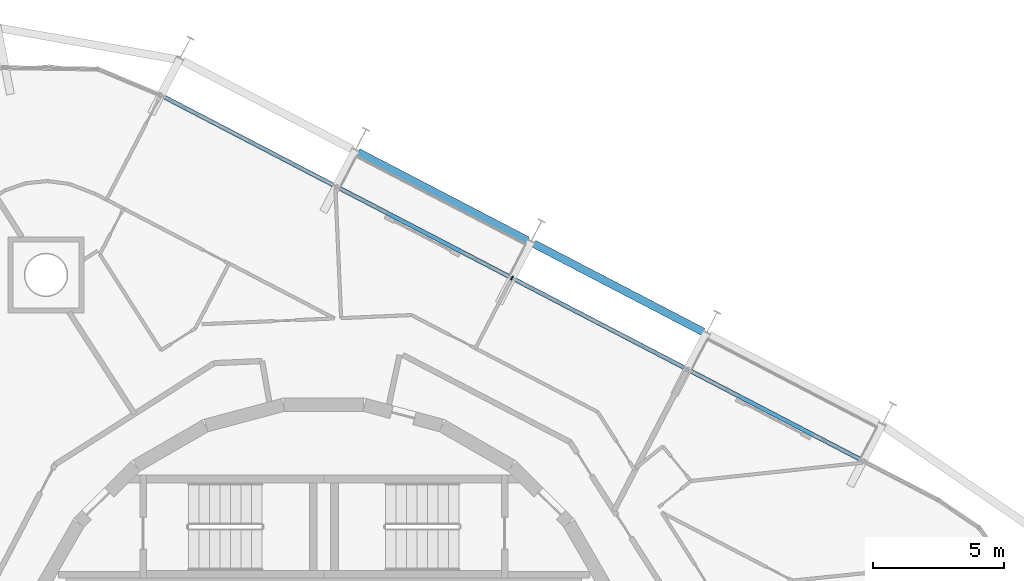
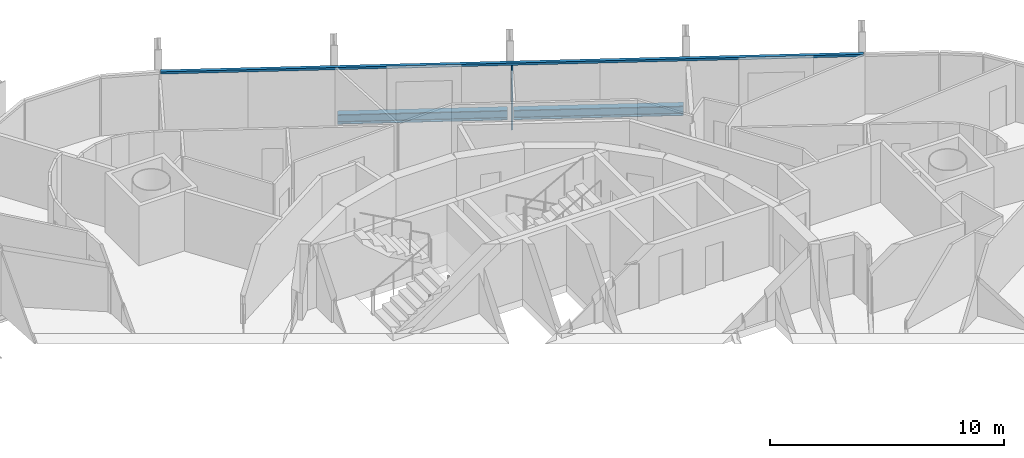
# One storey, part 7 of 18: 2 beams, 2 members, 1 element without a shape of its own.
"""IFC4 building model written with IfcOpenShell, lengths in metres."""

from ifc_helpers import new_model, si_unit, direction, frame, origin, origin_2d, place, context, subcontext, project, spatial, rectangle, i_section, extrude, material, layer, layer_set, material_profile, profile_set, type_object, element, aggregate, save


model = new_model("IFC4")

# Units and contexts
model_context = context("Model", 3, precision=1e-05, world=origin(), true_north=direction((0.0, 1.0)))
body_context = subcontext(model_context, "Body", "Model", "MODEL_VIEW")
ifc_project = project(units=[si_unit("LENGTHUNIT", "METRE"), si_unit("AREAUNIT", "SQUARE_METRE"), si_unit("VOLUMEUNIT", "CUBIC_METRE"), si_unit("PLANEANGLEUNIT", "RADIAN"), si_unit("MASSUNIT", "GRAM", prefix="KILO")], contexts=[model_context])

# Site, building, storey
site_placement = place(None, origin())
site = spatial("IfcSite", under=ifc_project, at=site_placement, CompositionType="ELEMENT")
building_placement = place(site_placement, origin())
building = spatial("IfcBuilding", under=site, at=building_placement, Name="Spindle Arch Residences", CompositionType="ELEMENT")
storey_placement = place(building_placement, frame((0.0, 0.0, 251.199951171875)))
storey = spatial("IfcBuildingStorey", under=building, at=storey_placement, Name="L64", CompositionType="ELEMENT", Elevation=251.199951171875)

# Curtain wall, members
ifc_material_1 = material(Name="Aluminium bronze unitised frame with tinted glass", Category="aluminium")
ifc_layer = layer(ifc_material_1, 0.159912109375)
ifc_layer_set = layer_set([ifc_layer], Name="CW-C typical residential unitised wall")
curtain_wall_type = type_object("IfcCurtainWallType", Name="CW-C typical residential unitised wall", PredefinedType="NOTDEFINED", material=ifc_layer_set)
curtain_wall_placement = place(storey_placement, origin())
curtain_wall = element("IfcCurtainWall", 1, at=curtain_wall_placement, inside=storey, type_object=curtain_wall_type, Name="CW-C L64 run 2", PredefinedType="NOTDEFINED")
ifc_material_2 = material(Name="Aluminium bronze anodised mullion", Category="aluminium")
ifc_material_profile_1 = material_profile(ifc_material_2, rectangle(XDim=0.159912109375, YDim=0.06005859375, at=origin_2d()), Name="MU 60x160")
ifc_profile_set_1 = profile_set([ifc_material_profile_1], Name="Aluminium bronze anodised mullion")
member_type_1 = type_object("IfcMemberType", Name="Bronze mullion 60x160", PredefinedType="MULLION", material=ifc_profile_set_1)
member_1_placement = place(storey_placement, frame((7.15869140625, 16.4697265625, -0.3798828125), z_axis=(0.0, 0.0, 1.0), x_axis=(-0.461748613235, -0.887010833178, 0.0)))
member_1 = element("IfcMember", 2, at=member_1_placement, type_object=member_type_1, Name="CW-C mullion 07", PredefinedType="MULLION", context=body_context, shape_type="SweptSolid", body=[
    extrude(rectangle(XDim=0.159912109375, YDim=0.06005859375, at=origin_2d()), origin(), (0.0, 0.0, 1.0), 3.3798828125),
])
ifc_material_3 = material(Name="Aluminium bronze anodised transom", Category="aluminium")
ifc_material_profile_2 = material_profile(ifc_material_3, rectangle(XDim=0.159912109375, YDim=0.1201171875, at=origin_2d()), Name="TR 120x160")
ifc_profile_set_2 = profile_set([ifc_material_profile_2], Name="Aluminium bronze anodised transom")
member_type_2 = type_object("IfcMemberType", Name="Bronze transom 120x160", PredefinedType="USERDEFINED", material=ifc_profile_set_2)
member_2_placement = place(storey_placement, frame((20.49072265625, 9.529541015625, 3.06005859375), z_axis=(-0.887009936453, 0.461750335825, 0.0), x_axis=(-0.461750335825, -0.887009936453, 0.0)))
member_2 = element("IfcMember", 3, at=member_2_placement, type_object=member_type_2, Name="CW-C transom 00", ObjectType="TRANSOM", PredefinedType="USERDEFINED", context=body_context, shape_type="SweptSolid", body=[
    extrude(rectangle(XDim=0.159912109375, YDim=0.1201171875, at=origin_2d()), origin(), (0.0, 0.0, 1.0), 30.060302734375),
])
aggregate(curtain_wall, [member_2, member_1])

# Beams
ifc_material_4 = material(Name="Steel S460ML, intumescent coating R 120", Category="steel")
ifc_material_profile_3 = material_profile(ifc_material_4, i_section(OverallWidth=0.300048828125, OverallDepth=0.5, WebThickness=0.014404296875, FlangeThickness=0.028076171875, FilletRadius=0.027099609375, at=origin_2d()), Name="HEB 500")
ifc_profile_set_3 = profile_set([ifc_material_profile_3], Name="Steel S460ML, intumescent coating R 120")
beam_type = type_object("IfcBeamType", Name="Exoskeleton edge beam HEB 500", PredefinedType="BEAM", material=ifc_profile_set_3)
for number, where, z_axis, x_axis, name in (
    (4, (14.43359375, 14.418701171875, -0.6298828125), (-0.887007222688, 0.461755548857, 0.0), (-0.461755548857, -0.887007222688, 0.0), "Exoskeleton edge beam 7"),
    (5, (7.75439453125, 17.895751953125, -0.6298828125), (-0.887007222688, 0.461755548857, 0.0), (-0.461755548857, -0.887007222688, 0.0), "Exoskeleton edge beam 8"),
):
    element("IfcBeam", number, at=place(storey_placement, frame(where, z_axis=z_axis, x_axis=x_axis)), inside=storey, type_object=beam_type, Name=name, PredefinedType="BEAM", context=body_context, shape_type="SweptSolid", body=[
        extrude(i_section(OverallWidth=0.300048828125, OverallDepth=0.5, WebThickness=0.014404296875, FlangeThickness=0.028076171875, FilletRadius=0.027099609375, at=origin_2d()), origin(), (0.0, 0.0, 1.0), 7.27001953125),
    ])

save(model, "model.ifc")
